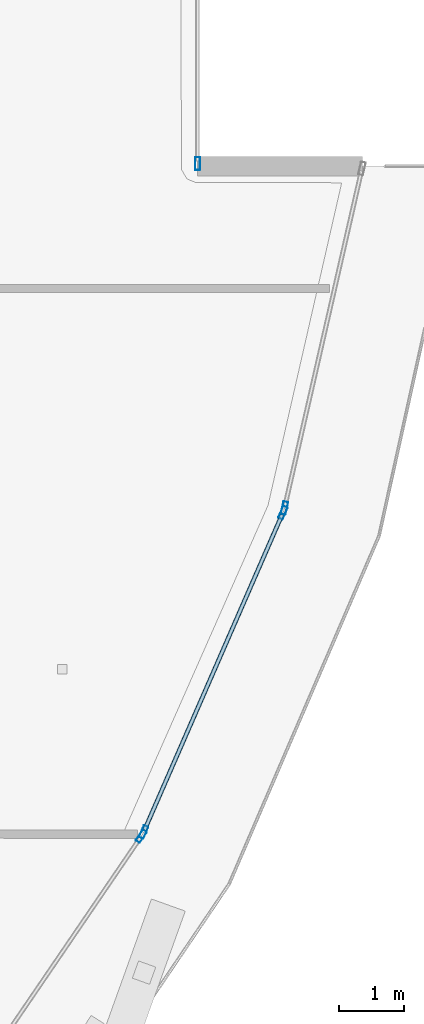
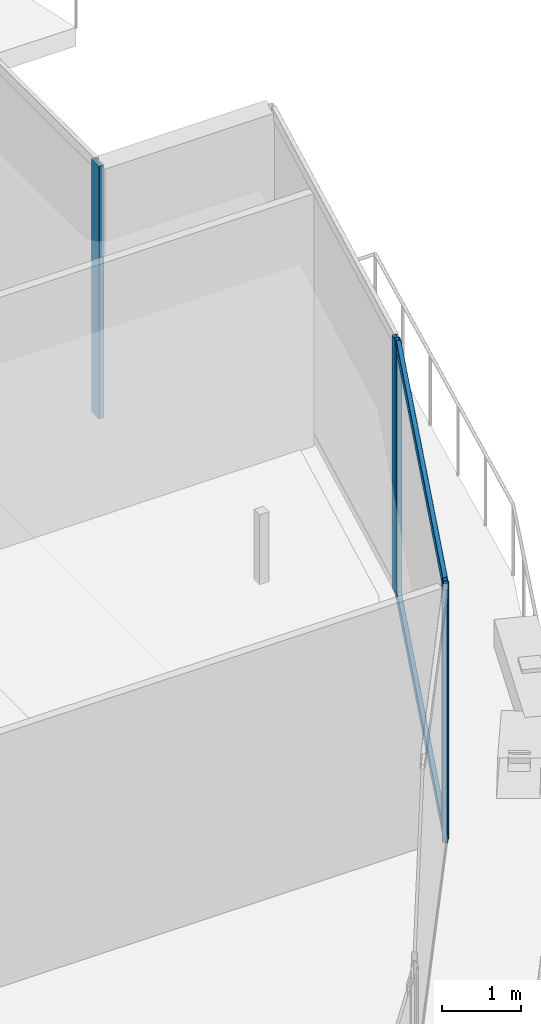
# One storey, part 12 of 34: 7 members, 4 elements without a shape of their own.
"""IFC4 building model written with IfcOpenShell, lengths in metres."""

from ifc_helpers import new_model, si_unit, direction, frame, origin, origin_2d, place, context, subcontext, project, spatial, hollow_rectangle, extrude, material, layer, layer_set, material_profile, profile_set, type_object, element, aggregate, save


model = new_model("IFC4")

# Units and contexts
model_context = context("Model", 3, precision=1e-05, world=origin(), true_north=direction((0.0, 1.0)))
body_context = subcontext(model_context, "Body", "Model", "MODEL_VIEW")
ifc_project = project(units=[si_unit("LENGTHUNIT", "METRE"), si_unit("AREAUNIT", "SQUARE_METRE"), si_unit("VOLUMEUNIT", "CUBIC_METRE"), si_unit("PLANEANGLEUNIT", "RADIAN"), si_unit("MASSUNIT", "GRAM", prefix="KILO")], contexts=[model_context])

# Site, building, storey
site_placement = place(None, origin())
site = spatial("IfcSite", under=ifc_project, at=site_placement, CompositionType="ELEMENT")
building_placement = place(site_placement, origin())
building = spatial("IfcBuilding", under=site, at=building_placement, Name="Qorvath Tower", CompositionType="ELEMENT")
storey_placement = place(building_placement, frame((0.0, 0.0, 268.199951171875)))
storey = spatial("IfcBuildingStorey", under=building, at=storey_placement, Name="L62", CompositionType="ELEMENT", Elevation=268.199951171875)

# Curtain wall, member
ifc_material_1 = material(Name="Anodised aluminium and triple low-E glass", Category="aluminium")
ifc_layer = layer(ifc_material_1, 0.179931640625)
ifc_layer_set = layer_set([ifc_layer], Name="CW-SYS-4")
curtain_wall_type = type_object("IfcCurtainWallType", Name="CW-SYS-4", PredefinedType="NOTDEFINED", material=ifc_layer_set)
curtain_wall_1_placement = place(storey_placement, origin())
curtain_wall_1 = element("IfcCurtainWall", 1, at=curtain_wall_1_placement, inside=storey, type_object=curtain_wall_type, Name="Curtain Wall CW-4 CW-T-L62-5.1", PredefinedType="NOTDEFINED")
ifc_material_2 = material(Name="Anodised aluminium 6063-T6", Category="aluminium")
ifc_material_profile_1 = material_profile(ifc_material_2, hollow_rectangle(XDim=0.074951171875, YDim=0.199951171875, WallThickness=0.00390625, InnerFilletRadius=0.00390625, OuterFilletRadius=0.008056640625, at=origin_2d()), Name="CWM 200x75")
ifc_profile_set_1 = profile_set([ifc_material_profile_1], Name="Anodised aluminium 6063-T6")
member_type_1 = type_object("IfcMemberType", Name="CWM-200", PredefinedType="MULLION", material=ifc_profile_set_1)
member_1_placement = place(storey_placement, frame((-5.402099609375, -14.059814453125, 0.0), z_axis=(0.0, 0.0, 1.0), x_axis=(-0.826318799643, 0.56320266455, 0.0)))
member_1 = element("IfcMember", 2, at=member_1_placement, type_object=member_type_1, Name="CW-4 mullion 2", PredefinedType="MULLION", context=body_context, shape_type="SweptSolid", body=[
    extrude(hollow_rectangle(XDim=0.074951171875, YDim=0.199951171875, WallThickness=0.00390625, InnerFilletRadius=0.00390625, OuterFilletRadius=0.008056640625, at=origin_2d()), origin(), (0.0, 0.0, 1.0), 3.91015625),
])
aggregate(curtain_wall_1, [member_1])

# Curtain wall, members
curtain_wall_2_placement = place(storey_placement, origin())
curtain_wall_2 = element("IfcCurtainWall", 3, at=curtain_wall_2_placement, inside=storey, type_object=curtain_wall_type, Name="Curtain Wall CW-4 CW-T-L62-6.1", PredefinedType="NOTDEFINED")
member_2_placement = place(storey_placement, frame((-5.365966796875, -13.994384765625, 0.0), z_axis=(0.0, 0.0, 1.0), x_axis=(-0.91655883173, 0.399899872441, 0.0)))
member_2 = element("IfcMember", 4, at=member_2_placement, type_object=member_type_1, Name="CW-4 mullion 1", PredefinedType="MULLION", context=body_context, shape_type="SweptSolid", body=[
    extrude(hollow_rectangle(XDim=0.074951171875, YDim=0.199951171875, WallThickness=0.00390625, InnerFilletRadius=0.00390625, OuterFilletRadius=0.008056640625, at=origin_2d()), origin(), (0.0, 0.0, 1.0), 3.91015625),
])
member_3_placement = place(storey_placement, frame((-3.231201171875, -9.10205078125, 0.0), z_axis=(0.0, 0.0, 1.0), x_axis=(-0.91655883173, 0.399899872441, 0.0)))
member_3 = element("IfcMember", 5, at=member_3_placement, type_object=member_type_1, Name="CW-4 mullion 2", PredefinedType="MULLION", context=body_context, shape_type="SweptSolid", body=[
    extrude(hollow_rectangle(XDim=0.074951171875, YDim=0.199951171875, WallThickness=0.00390625, InnerFilletRadius=0.00390625, OuterFilletRadius=0.008056640625, at=origin_2d()), origin(), (0.0, 0.0, 1.0), 3.91015625),
])

# Curtain wall, member
curtain_wall_3_placement = place(storey_placement, origin())
curtain_wall_3 = element("IfcCurtainWall", 6, at=curtain_wall_3_placement, inside=storey, type_object=curtain_wall_type, Name="Curtain Wall CW-4 CW-T-L62-7.1", PredefinedType="NOTDEFINED")
member_4_placement = place(storey_placement, frame((-3.2080078125, -9.031005859375, 0.0), z_axis=(0.0, 0.0, 1.0), x_axis=(-0.974911683446, 0.222592024744, 0.0)))
member_4 = element("IfcMember", 7, at=member_4_placement, type_object=member_type_1, Name="CW-4 mullion 1", PredefinedType="MULLION", context=body_context, shape_type="SweptSolid", body=[
    extrude(hollow_rectangle(XDim=0.074951171875, YDim=0.199951171875, WallThickness=0.00390625, InnerFilletRadius=0.00390625, OuterFilletRadius=0.008056640625, at=origin_2d()), origin(), (0.0, 0.0, 1.0), 3.91015625),
])
aggregate(curtain_wall_3, [member_4])

curtain_wall_4_placement = place(storey_placement, origin())
curtain_wall_4 = element("IfcCurtainWall", 8, at=curtain_wall_4_placement, inside=storey, type_object=curtain_wall_type, Name="Curtain Wall CW-4 CW-T-L62-9.1", PredefinedType="NOTDEFINED")
member_5_placement = place(storey_placement, frame((-4.538818359375, -3.75341796875, 0.0), z_axis=(0.0, 0.0, 1.0), x_axis=(-1.0, 0.0, 0.0)))
member_5 = element("IfcMember", 9, at=member_5_placement, type_object=member_type_1, Name="CW-4 mullion 1", PredefinedType="MULLION", context=body_context, shape_type="SweptSolid", body=[
    extrude(hollow_rectangle(XDim=0.074951171875, YDim=0.199951171875, WallThickness=0.00390625, InnerFilletRadius=0.00390625, OuterFilletRadius=0.008056640625, at=origin_2d()), origin(), (0.0, 0.0, 1.0), 3.91015625),
])
aggregate(curtain_wall_4, [member_5])

# Member
ifc_material_3 = material(Name="Anodised aluminium 6063-T6", Category="aluminium")
ifc_material_profile_2 = material_profile(ifc_material_3, hollow_rectangle(XDim=0.06494140625, YDim=0.159912109375, WallThickness=0.00341796875, InnerFilletRadius=0.00341796875, OuterFilletRadius=0.007080078125, at=origin_2d()), Name="CWT 160x65")
ifc_profile_set_2 = profile_set([ifc_material_profile_2], Name="Anodised aluminium 6063-T6")
member_type_2 = type_object("IfcMemberType", Name="CWT-160", PredefinedType="USERDEFINED", material=ifc_profile_set_2)
member_6_placement = place(storey_placement, frame((-5.350830078125, -13.9599609375, 0.032470703125), z_axis=(0.399879269802, 0.916567820504, 0.0), x_axis=(-0.916567820504, 0.399879269802, 0.0)))
member_6 = element("IfcMember", 10, at=member_6_placement, type_object=member_type_2, Name="CW-4 transom 1.1", ObjectType="TRANSOM", PredefinedType="USERDEFINED", context=body_context, shape_type="SweptSolid", body=[
    extrude(hollow_rectangle(XDim=0.06494140625, YDim=0.159912109375, WallThickness=0.00341796875, InnerFilletRadius=0.00341796875, OuterFilletRadius=0.007080078125, at=origin_2d()), origin(), (0.0, 0.0, 1.0), 5.262939453125),
])

member_7_placement = place(storey_placement, frame((-5.350830078125, -13.9599609375, 3.877685546875), z_axis=(0.399879269802, 0.916567820504, 0.0), x_axis=(-0.916567820504, 0.399879269802, 0.0)))
member_7 = element("IfcMember", 11, at=member_7_placement, type_object=member_type_2, Name="CW-4 transom 1.2", ObjectType="TRANSOM", PredefinedType="USERDEFINED", context=body_context, shape_type="SweptSolid", body=[
    extrude(hollow_rectangle(XDim=0.06494140625, YDim=0.159912109375, WallThickness=0.00341796875, InnerFilletRadius=0.00341796875, OuterFilletRadius=0.007080078125, at=origin_2d()), origin(), (0.0, 0.0, 1.0), 5.262939453125),
])

aggregate(curtain_wall_2, [member_2, member_3, member_6, member_7])

save(model, "model.ifc")
